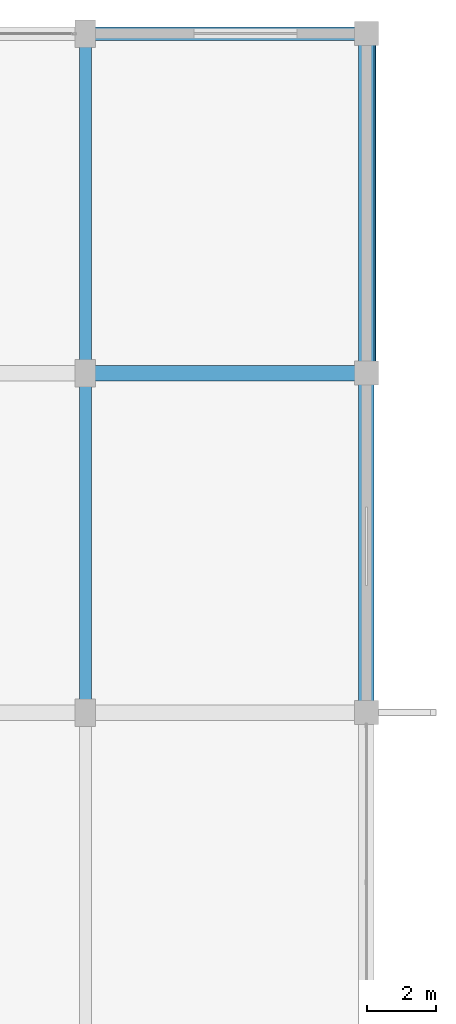
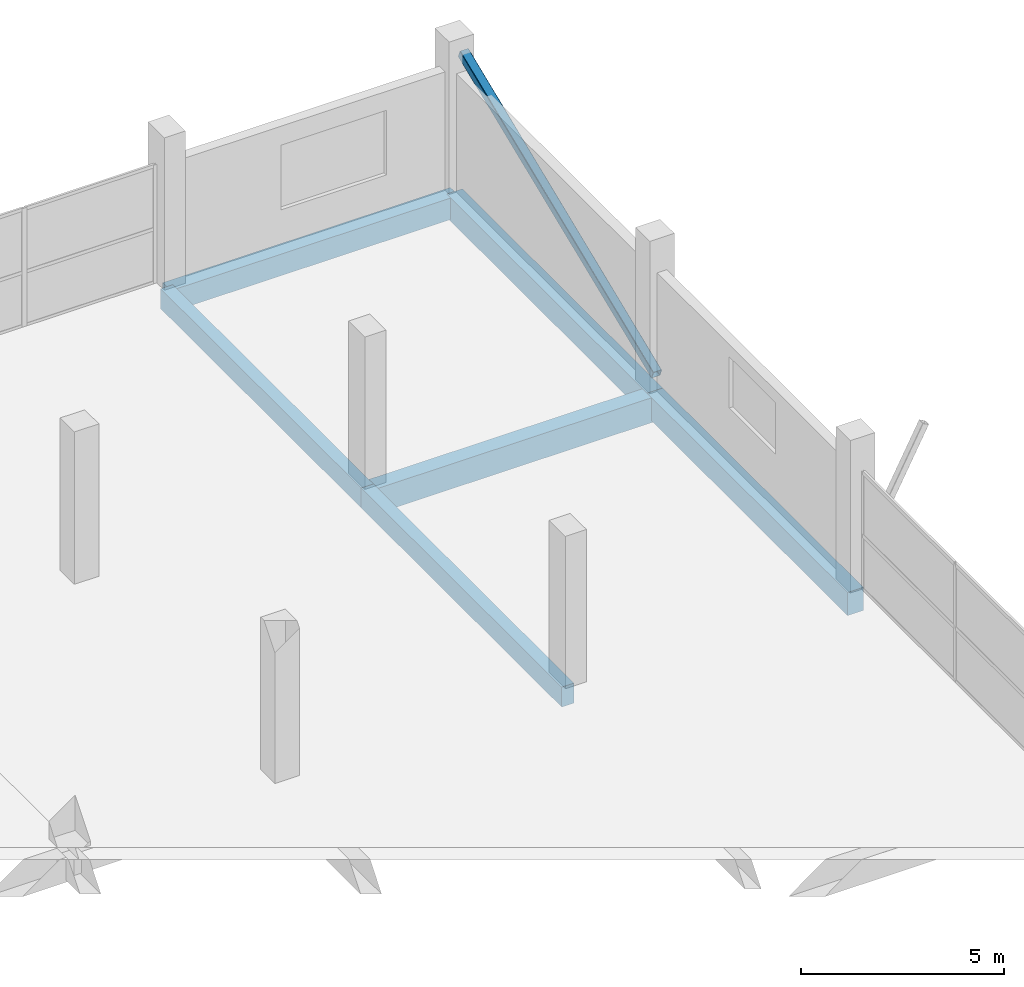
# One storey, part 31 of 49: 6 beams, 1 member.
"""IFC4 building model written with IfcOpenShell, lengths in metres."""

from ifc_helpers import new_model, si_unit, direction, frame, origin, origin_2d, place, context, subcontext, project, spatial, rectangle, hollow_rectangle, extrude, material, material_profile, profile_set, type_object, element, save


model = new_model("IFC4")

# Units and contexts
model_context = context("Model", 3, precision=1e-05, world=origin(), true_north=direction((0.0, 1.0)))
body_context = subcontext(model_context, "Body", "Model", "MODEL_VIEW")
ifc_project = project(units=[si_unit("LENGTHUNIT", "METRE"), si_unit("AREAUNIT", "SQUARE_METRE"), si_unit("VOLUMEUNIT", "CUBIC_METRE"), si_unit("PLANEANGLEUNIT", "RADIAN"), si_unit("MASSUNIT", "GRAM", prefix="KILO")], contexts=[model_context])

# Site, building, storey
site_placement = place(None, origin())
site = spatial("IfcSite", under=ifc_project, at=site_placement, CompositionType="ELEMENT")
building_placement = place(site_placement, origin())
building = spatial("IfcBuilding", under=site, at=building_placement, Name="Sillaruma Civic Art Gallery", CompositionType="ELEMENT")
storey_placement = place(building_placement, frame((0.0, 0.0, 33.14990234375)))
storey = spatial("IfcBuildingStorey", under=building, at=storey_placement, Name="L06", CompositionType="ELEMENT", Elevation=33.14990234375)

# Beams
ifc_material_1 = material(Name="Concrete H35 (35 MPa)", Category="concrete")
ifc_material_profile_1 = material_profile(ifc_material_1, rectangle(XDim=0.35009765625, YDim=0.60009765625, at=origin_2d()), Name="RCB350x600")
ifc_profile_set_1 = profile_set([ifc_material_profile_1], Name="Concrete H35 (35 MPa)")
beam_type_1 = type_object("IfcBeamType", Name="BM-BEAM-RCB350x600", PredefinedType="BEAM", material=ifc_profile_set_1)
beam_1_placement = place(storey_placement, frame((106.199951171875, 79.199951171875, -0.539794921875), z_axis=(0.0, 1.0, 0.0), x_axis=(-1.0, 0.0, 0.0)))
element("IfcBeam", 1, at=beam_1_placement, inside=storey, type_object=beam_type_1, Name="Beam BM-06 (L05:M:9-10)", PredefinedType="BEAM", context=body_context, shape_type="SweptSolid", body=[
    extrude(rectangle(XDim=0.35009765625, YDim=0.60009765625, at=origin_2d()), origin(), (0.0, 0.0, 1.0), 9.900146484375),
])
beam_2_placement = place(storey_placement, frame((106.199951171875, 89.10009765625, -0.539794921875), z_axis=(0.0, 1.0, 0.0), x_axis=(-1.0, 0.0, 0.0)))
element("IfcBeam", 2, at=beam_2_placement, inside=storey, type_object=beam_type_1, Name="Beam BM-06 (L05:M:10-11)", PredefinedType="BEAM", context=body_context, shape_type="SweptSolid", body=[
    extrude(rectangle(XDim=0.35009765625, YDim=0.60009765625, at=origin_2d()), origin(), (0.0, 0.0, 1.0), 9.89990234375),
])
ifc_material_2 = material(Name="Concrete H40 (40 MPa)", Category="concrete")
ifc_material_profile_2 = material_profile(ifc_material_2, rectangle(XDim=0.449951171875, YDim=0.75, at=origin_2d()), Name="RCB450x750")
ifc_profile_set_2 = profile_set([ifc_material_profile_2], Name="Concrete H40 (40 MPa)")
beam_type_2 = type_object("IfcBeamType", Name="BM-BEAM-RCB450x750", PredefinedType="BEAM", material=ifc_profile_set_2)
beam_3_placement = place(storey_placement, frame((106.199951171875, 89.10009765625, -0.614990234375), z_axis=(1.0, 0.0, 0.0), x_axis=(0.0, 1.0, 0.0)))
element("IfcBeam", 3, at=beam_3_placement, inside=storey, type_object=beam_type_2, Name="Beam BM-03 (L05:10:M-N)", PredefinedType="BEAM", context=body_context, shape_type="SweptSolid", body=[
    extrude(rectangle(XDim=0.449951171875, YDim=0.75, at=origin_2d()), origin(), (0.0, 0.0, 1.0), 8.199951171875),
])
ifc_material_profile_3 = material_profile(ifc_material_1, rectangle(XDim=0.39990234375, YDim=0.64990234375, at=origin_2d()), Name="RCB400x650")
ifc_profile_set_3 = profile_set([ifc_material_profile_3], Name="Concrete H35 (35 MPa)")
beam_type_3 = type_object("IfcBeamType", Name="BM-SPANDREL-RCB400x650", PredefinedType="SPANDREL", material=ifc_profile_set_3)
beam_4_placement = place(storey_placement, frame((106.199951171875, 99.0, -0.56494140625), z_axis=(1.0, 0.0, 0.0), x_axis=(0.0, 1.0, 0.0)))
element("IfcBeam", 4, at=beam_4_placement, inside=storey, type_object=beam_type_3, Name="Beam BS-02 (L05:11:M-N)", PredefinedType="SPANDREL", context=body_context, shape_type="SweptSolid", body=[
    extrude(rectangle(XDim=0.39990234375, YDim=0.64990234375, at=origin_2d()), origin(), (0.0, 0.0, 1.0), 8.199951171875),
])
ifc_material_profile_4 = material_profile(ifc_material_1, rectangle(XDim=0.449951171875, YDim=0.699951171875, at=origin_2d()), Name="RCB450x700")
ifc_profile_set_4 = profile_set([ifc_material_profile_4], Name="Concrete H35 (35 MPa)")
beam_type_4 = type_object("IfcBeamType", Name="BM-SPANDREL-RCB450x700", PredefinedType="SPANDREL", material=ifc_profile_set_4)
beam_5_placement = place(storey_placement, frame((114.39990234375, 79.199951171875, -0.58984375), z_axis=(0.0, 1.0, 0.0), x_axis=(-1.0, 0.0, 0.0)))
element("IfcBeam", 5, at=beam_5_placement, inside=storey, type_object=beam_type_4, Name="Beam BS-03 (L05:N:9-10)", PredefinedType="SPANDREL", context=body_context, shape_type="SweptSolid", body=[
    extrude(rectangle(XDim=0.449951171875, YDim=0.699951171875, at=origin_2d()), origin(), (0.0, 0.0, 1.0), 9.900146484375),
])
beam_6_placement = place(storey_placement, frame((114.39990234375, 89.10009765625, -0.58984375), z_axis=(0.0, 1.0, 0.0), x_axis=(-1.0, 0.0, 0.0)))
element("IfcBeam", 6, at=beam_6_placement, inside=storey, type_object=beam_type_4, Name="Beam BS-03 (L05:N:10-11)", PredefinedType="SPANDREL", context=body_context, shape_type="SweptSolid", body=[
    extrude(rectangle(XDim=0.449951171875, YDim=0.699951171875, at=origin_2d()), origin(), (0.0, 0.0, 1.0), 9.89990234375),
])

# Member
ifc_material_3 = material(Name="Structural Steel ASTM A500 Gr.C", Category="steel")
ifc_material_profile_5 = material_profile(ifc_material_3, hollow_rectangle(XDim=0.25, YDim=0.25, WallThickness=0.012451171875, InnerFilletRadius=0.012451171875, OuterFilletRadius=0.02490234375, at=origin_2d()), Name="HSS250x250x12.5")
ifc_profile_set_5 = profile_set([ifc_material_profile_5], Name="Structural Steel ASTM A500 Gr.C")
member_type = type_object("IfcMemberType", Name="MEM-MEGA-BRACE", PredefinedType="BRACE", material=ifc_profile_set_5)
member_placement = place(storey_placement, frame((114.550048828125, 89.280029296875, 0.10009765625), z_axis=(0.0, 0.925643523987, 0.378396705194), x_axis=(-1.0, 0.0, 0.0)))
element("IfcMember", 7, at=member_placement, inside=storey, type_object=member_type, Name="Exterior Expressed Gallery Seismic Diagonal Brace (L06-EN)", PredefinedType="BRACE", context=body_context, shape_type="SweptSolid", body=[
    extrude(hollow_rectangle(XDim=0.25, YDim=0.25, WallThickness=0.012451171875, InnerFilletRadius=0.012451171875, OuterFilletRadius=0.02490234375, at=origin_2d()), origin(), (0.0, 0.0, 1.0), 10.306396484375),
])

save(model, "model.ifc")
